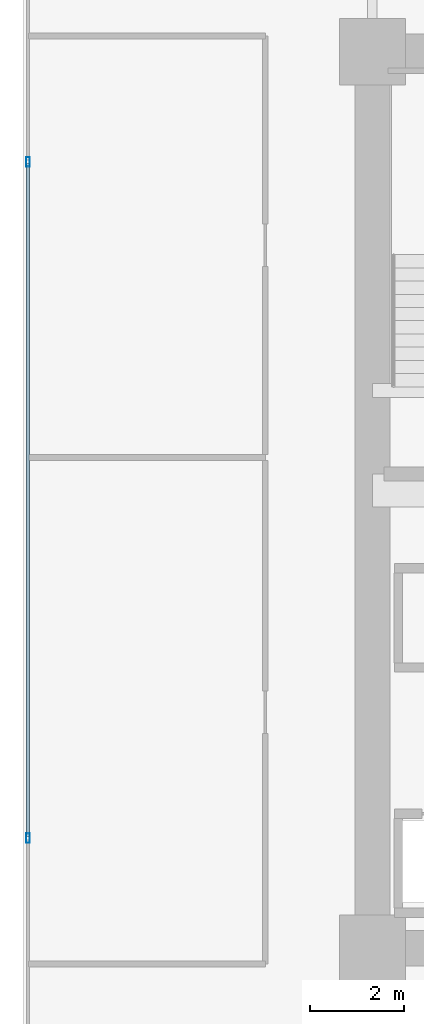
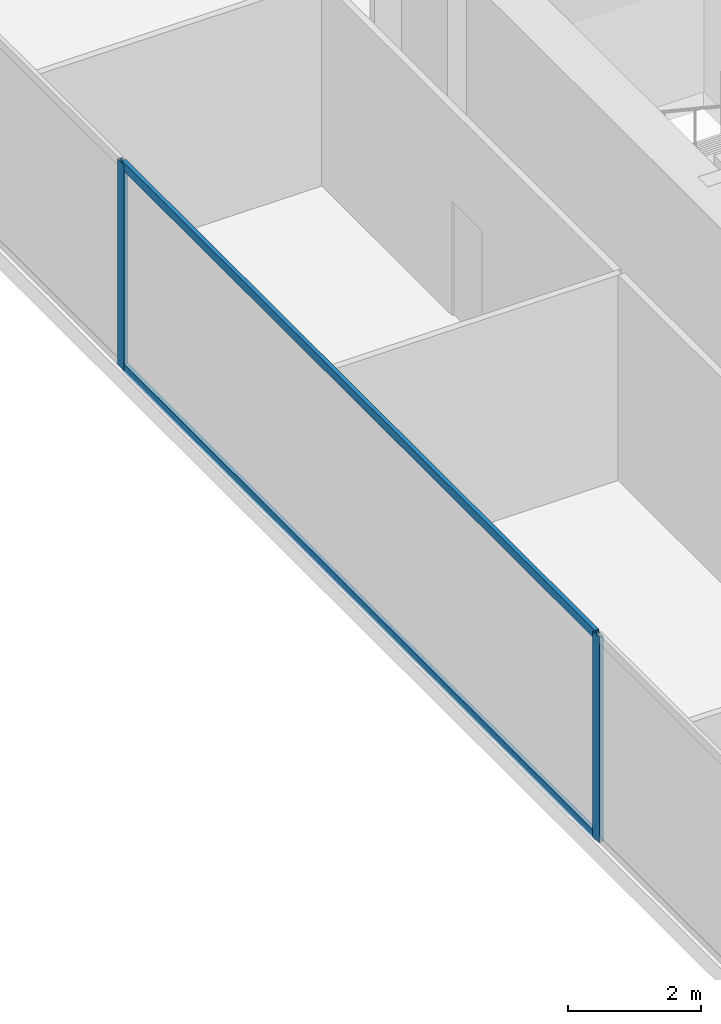
# One storey, part 6 of 35: 4 members, 1 element without a shape of its own.
"""IFC4 building model written with IfcOpenShell, lengths in metres."""

from ifc_helpers import new_model, si_unit, direction, frame, origin, origin_2d, place, context, subcontext, project, spatial, hollow_rectangle, extrude, source, transform, mapped, material, layer, layer_set, material_profile, profile_set, type_object, type_shapes, element, aggregate, save


model = new_model("IFC4")

# Units and contexts
model_context = context("Model", 3, precision=1e-05, world=origin(), true_north=direction((0.0, 1.0)))
body_context = subcontext(model_context, "Body", "Model", "MODEL_VIEW")
ifc_project = project(units=[si_unit("LENGTHUNIT", "METRE"), si_unit("AREAUNIT", "SQUARE_METRE"), si_unit("VOLUMEUNIT", "CUBIC_METRE"), si_unit("PLANEANGLEUNIT", "RADIAN"), si_unit("MASSUNIT", "GRAM", prefix="KILO")], contexts=[model_context])

# Site, building, storey
site_placement = place(None, origin())
site = spatial("IfcSite", under=ifc_project, at=site_placement, CompositionType="ELEMENT")
building_placement = place(site_placement, origin())
building = spatial("IfcBuilding", under=site, at=building_placement, Name="Haelvirn Gate Laboratories", CompositionType="ELEMENT")
storey_placement = place(building_placement, frame((0.0, 0.0, 45.699951171875)))
storey = spatial("IfcBuildingStorey", under=building, at=storey_placement, Name="L11", CompositionType="ELEMENT", Elevation=45.699951171875)

# Curtain wall, members
ifc_material_1 = material(Name="Anodised bronze unitised aluminium & triple low-E glass", Category="aluminium")
ifc_layer = layer(ifc_material_1, 0.18408203125, Name="CW-SYS-2")
ifc_layer_set = layer_set([ifc_layer], Name="Anodised bronze unitised aluminium & triple low-E glass")
curtain_wall_type = type_object("IfcCurtainWallType", Name="CW-SYS-2", PredefinedType="NOTDEFINED", material=ifc_layer_set)
curtain_wall_placement = place(storey_placement, origin())
curtain_wall = element("IfcCurtainWall", 1, at=curtain_wall_placement, inside=storey, type_object=curtain_wall_type, Name="L11 Unitised Curtain Wall CW-L11-P0-E17", PredefinedType="NOTDEFINED")
ifc_material_2 = material(Name="Extruded aluminium 6063-T6 (anodised bronze)", Category="aluminium")
ifc_material_profile_1 = material_profile(ifc_material_2, hollow_rectangle(XDim=0.074951171875, YDim=0.199951171875, WallThickness=0.0048828125, at=origin_2d()), Name="CWM-200x75x5")
ifc_profile_set_1 = profile_set([ifc_material_profile_1], Name="Extruded aluminium 6063-T6 (anodised bronze)")
member_type_1 = type_object("IfcMemberType", Name="CWM-T200", PredefinedType="MULLION", material=ifc_profile_set_1)
shared_shape_1 = source(origin(), body_context, "Body", "SweptSolid", [
    extrude(hollow_rectangle(XDim=0.074951171875, YDim=0.199951171875, WallThickness=0.0048828125, at=origin_2d()), origin(), (0.0, 0.0, 1.0), 3.780029296875),
])
type_shapes(member_type_1, [shared_shape_1])
member_1_placement = place(storey_placement, frame((0.10009765625, 31.466552734375, 0.0), z_axis=(0.0, 0.0, 1.0), x_axis=(1.0, 0.0, 0.0)))
member_1 = element("IfcMember", 2, at=member_1_placement, type_object=member_type_1, Name="CW2 mullion 2", PredefinedType="MULLION", context=body_context, shape_type="MappedRepresentation", body=[
    mapped(shared_shape_1, transform((0.0, 0.0, 0.0), scale=1.0)),
])
member_2_placement = place(storey_placement, frame((0.10009765625, 17.13330078125, 0.0), z_axis=(0.0, 0.0, 1.0), x_axis=(1.0, 0.0, 0.0)))
member_2 = element("IfcMember", 3, at=member_2_placement, type_object=member_type_1, Name="CW2 mullion 3", PredefinedType="MULLION", context=body_context, shape_type="MappedRepresentation", body=[
    mapped(shared_shape_1, transform((0.0, 0.0, 0.0), scale=1.0)),
])
ifc_material_profile_2 = material_profile(ifc_material_2, hollow_rectangle(XDim=0.070068359375, YDim=0.159912109375, WallThickness=0.0048828125, at=origin_2d()), Name="CWT-160x70x5")
ifc_profile_set_2 = profile_set([ifc_material_profile_2], Name="Extruded aluminium 6063-T6 (anodised bronze)")
member_type_2 = type_object("IfcMemberType", Name="CWT-T160", PredefinedType="USERDEFINED", material=ifc_profile_set_2)
shared_shape_2 = source(origin(), body_context, "Body", "SweptSolid", [
    extrude(hollow_rectangle(XDim=0.070068359375, YDim=0.159912109375, WallThickness=0.0048828125, at=origin_2d()), origin(), (0.0, 0.0, 1.0), 14.25830078125),
])
type_shapes(member_type_2, [shared_shape_2])
member_3_placement = place(storey_placement, frame((0.10009765625, 31.42919921875, 0.03515625), z_axis=(0.0, -1.0, 0.0), x_axis=(1.0, 0.0, 0.0)))
member_3 = element("IfcMember", 4, at=member_3_placement, type_object=member_type_2, Name="CW2 transom 2.1", ObjectType="TRANSOM", PredefinedType="USERDEFINED", context=body_context, shape_type="MappedRepresentation", body=[
    mapped(shared_shape_2, transform((0.0, 0.0, 0.0), scale=1.0)),
])
member_4_placement = place(storey_placement, frame((0.10009765625, 31.42919921875, 3.7451171875), z_axis=(0.0, -1.0, 0.0), x_axis=(1.0, 0.0, 0.0)))
member_4 = element("IfcMember", 5, at=member_4_placement, type_object=member_type_2, Name="CW2 transom 2.2", ObjectType="TRANSOM", PredefinedType="USERDEFINED", context=body_context, shape_type="MappedRepresentation", body=[
    mapped(shared_shape_2, transform((0.0, 0.0, 0.0), scale=1.0)),
])
aggregate(curtain_wall, [member_1, member_2, member_3, member_4])

save(model, "model.ifc")
